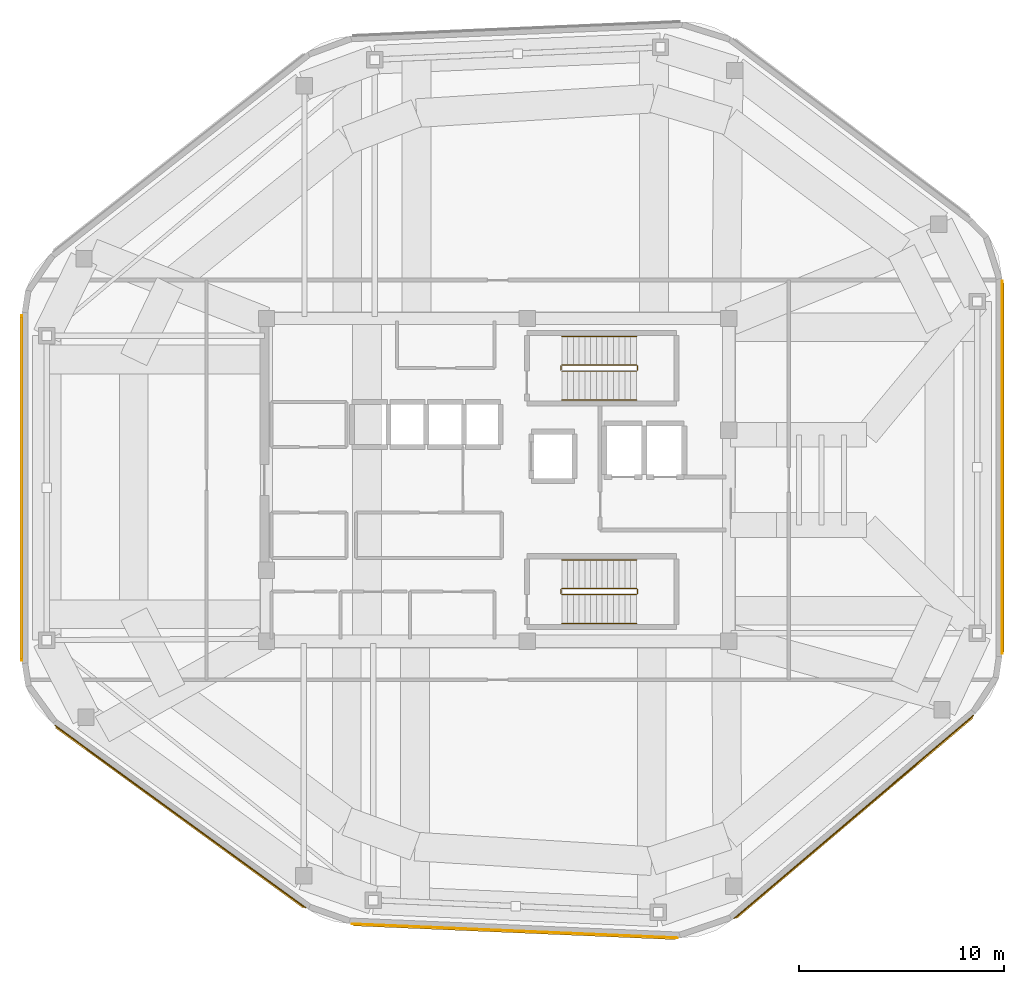
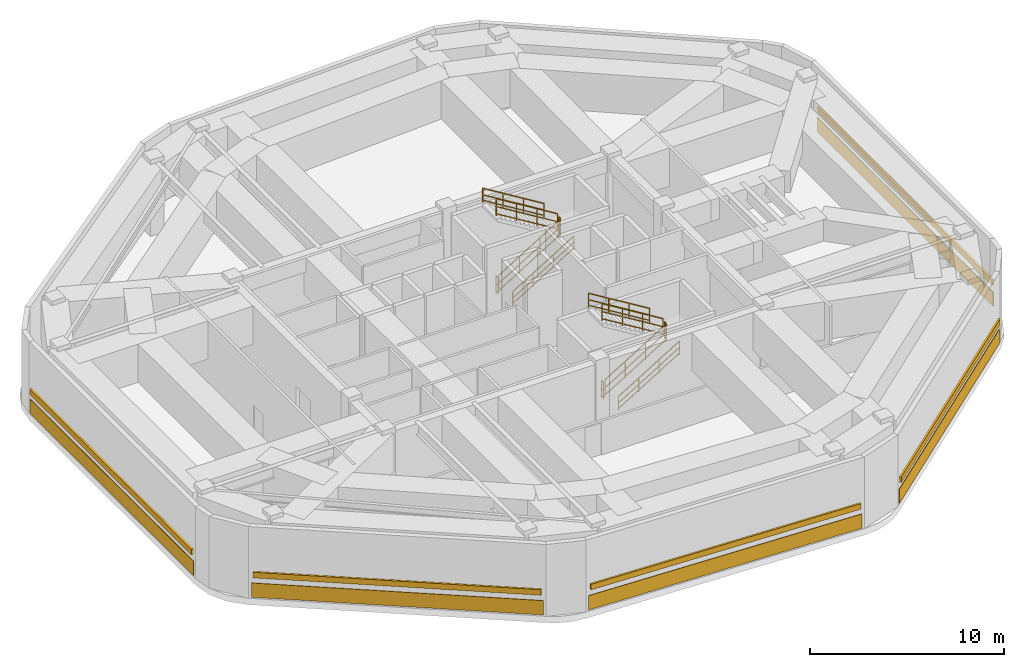
# One storey, part 6 of 7: 12 railings, 5 coverings, 5 shading devices.
"""IFC4 building model written with IfcOpenShell, lengths in metres."""

from ifc_helpers import new_model, si_unit, direction, frame, origin, origin_2d, place, context, subcontext, project, spatial, rectangle, extrude, material, layer, layer_set, type_object, element, save


model = new_model("IFC4")

# Units and contexts
model_context = context("Model", 3, precision=1e-05, world=origin(), true_north=direction((0.0, 1.0)))
body_context = subcontext(model_context, "Body", "Model", "MODEL_VIEW")
ifc_project = project(units=[si_unit("LENGTHUNIT", "METRE"), si_unit("AREAUNIT", "SQUARE_METRE"), si_unit("VOLUMEUNIT", "CUBIC_METRE"), si_unit("PLANEANGLEUNIT", "RADIAN"), si_unit("MASSUNIT", "GRAM", prefix="KILO")], contexts=[model_context])

# Site, building, storey
site_placement = place(None, origin())
site = spatial("IfcSite", under=ifc_project, at=site_placement, CompositionType="ELEMENT")
building_placement = place(site_placement, origin())
building = spatial("IfcBuilding", under=site, at=building_placement, Name="Zulverin Broadcast Headquarters", CompositionType="ELEMENT")
storey_placement = place(building_placement, frame((0.0, 0.0, 308.60009765625)))
storey = spatial("IfcBuildingStorey", under=building, at=storey_placement, Name="L79", CompositionType="ELEMENT", Elevation=308.60009765625)

# Coverings
ifc_material_1 = material(Name="Brushed pale-aluminium rainscreen cladding", Category="aluminium")
ifc_layer = layer(ifc_material_1, 0.0400390625, Name="Brushed pale-aluminium rainscreen cladding", Category="aluminium")
ifc_layer_set = layer_set([ifc_layer], Name="Brushed pale-aluminium rainscreen cladding")
covering_type = type_object("IfcCoveringType", Name="COV-CLAD-MEP", PredefinedType="CLADDING", material=ifc_layer_set)
covering_1_placement = place(storey_placement, frame((37.82861328125, 3.197021484375, 0.099853515625), z_axis=(0.0, 0.0, 1.0), x_axis=(0.999084786794, -0.042773692818, 0.0)))
element("IfcCovering", 1, at=covering_1_placement, inside=storey, type_object=covering_type, Name="L79 Brushed Pale-Aluminium Cladding Band 1", PredefinedType="CLADDING", context=body_context, shape_type="SweptSolid", body=[
    extrude(rectangle(XDim=15.90625, YDim=0.0400390625, at=origin_2d()), origin(), (0.0, 0.0, 1.0), 0.89990234375),
])
covering_2_placement = place(storey_placement, frame((54.373779296875, 8.756591796875, 0.099853515625), z_axis=(0.0, 0.0, 1.0), x_axis=(0.762781204191, 0.646656658925, 0.0)))
element("IfcCovering", 2, at=covering_2_placement, inside=storey, type_object=covering_type, Name="L79 Brushed Pale-Aluminium Cladding Band 2", PredefinedType="CLADDING", context=body_context, shape_type="SweptSolid", body=[
    extrude(rectangle(XDim=15.3291015625, YDim=0.0400390625, at=origin_2d()), origin(), (0.0, 0.0, 1.0), 0.89990234375),
])
covering_3_placement = place(storey_placement, frame((61.610107421875, 25.808349609375, 0.099853515625), z_axis=(0.0, 0.0, 1.0), x_axis=(0.0, 1.0, 0.0)))
element("IfcCovering", 3, at=covering_3_placement, inside=storey, type_object=covering_type, Name="L79 Brushed Pale-Aluminium Cladding Band 3", PredefinedType="CLADDING", context=body_context, shape_type="SweptSolid", body=[
    extrude(rectangle(XDim=18.189453125, YDim=0.0400390625, at=origin_2d()), origin(), (0.0, 0.0, 1.0), 0.89990234375),
])
covering_4_placement = place(storey_placement, frame((13.7900390625, 24.8095703125, 0.099853515625), z_axis=(0.0, 0.0, 1.0), x_axis=(0.0, -1.0, 0.0)))
element("IfcCovering", 4, at=covering_4_placement, inside=storey, type_object=covering_type, Name="L79 Brushed Pale-Aluminium Cladding Band 7", PredefinedType="CLADDING", context=body_context, shape_type="SweptSolid", body=[
    extrude(rectangle(XDim=16.85302734375, YDim=0.0400390625, at=origin_2d()), origin(), (0.0, 0.0, 1.0), 0.89990234375),
])
covering_5_placement = place(storey_placement, frame((21.52001953125, 8.772216796875, 0.099853515625), z_axis=(0.0, 0.0, 1.0), x_axis=(0.808698853549, -0.588222886556, 0.0)))
element("IfcCovering", 5, at=covering_5_placement, inside=storey, type_object=covering_type, Name="L79 Brushed Pale-Aluminium Cladding Band 8", PredefinedType="CLADDING", context=body_context, shape_type="SweptSolid", body=[
    extrude(rectangle(XDim=15.14111328125, YDim=0.0400390625, at=origin_2d()), origin(), (0.0, 0.0, 1.0), 0.89990234375),
])

# Railings
ifc_material_2 = material(Name="Painted galvanized steel tubular guardrail S355JR", Category="steel")
railing_type_1 = type_object("IfcRailingType", Name="RL-ST-GUARD", PredefinedType="GUARDRAIL", material=ifc_material_2)
railing_1_placement = place(storey_placement, frame((40.1298828125, 30.5, 0.17138671875)))
element("IfcRailing", 6, at=railing_1_placement, inside=storey, type_object=railing_type_1, Name="L79 ST-1 stair guard 1", PredefinedType="GUARDRAIL", context=body_context, shape_type="SweptSolid", body=[
    extrude(rectangle(XDim=0.048095703125, YDim=0.048095703125, at=origin_2d()), frame((0.0, 0.0, 1.076171875), z_axis=(0.852865859571, 0.0, 0.52213008492), x_axis=(0.0, 1.0, 0.0)), (0.0, 0.0, 1.0), 4.26806640625),
    extrude(rectangle(XDim=0.0419921875, YDim=0.0419921875, at=origin_2d()), frame((0.0, 0.0, 0.572021484375), z_axis=(0.852865859571, 0.0, 0.52213008492), x_axis=(0.0, 1.0, 0.0)), (0.0, 0.0, 1.0), 4.26806640625),
    extrude(rectangle(XDim=0.0419921875, YDim=0.0419921875, at=origin_2d()), frame((0.0, 0.0, 0.1201171875), z_axis=(0.852865859571, 0.0, 0.52213008492), x_axis=(0.0, 1.0, 0.0)), (0.0, 0.0, 1.0), 4.26806640625),
    extrude(rectangle(XDim=0.0419921875, YDim=0.0419921875, at=origin_2d()), origin(), (0.0, 0.0, 1.0), 1.052001953125),
    extrude(rectangle(XDim=0.0419921875, YDim=0.0419921875, at=origin_2d()), frame((1.21337890625, 0.0, 0.742919921875)), (0.0, 0.0, 1.0), 1.052001953125),
    extrude(rectangle(XDim=0.0419921875, YDim=0.0419921875, at=origin_2d()), frame((2.4267578125, 0.0, 1.485595703125)), (0.0, 0.0, 1.0), 1.052001953125),
    extrude(rectangle(XDim=0.0419921875, YDim=0.0419921875, at=origin_2d()), frame((3.64013671875, 0.0, 2.228515625)), (0.0, 0.0, 1.0), 1.052001953125),
])
railing_2_placement = place(storey_placement, frame((43.820068359375, 30.550048828125, 2.39990234375)))
element("IfcRailing", 7, at=railing_2_placement, inside=storey, type_object=railing_type_1, Name="L79 ST-1 stair guard 2", PredefinedType="GUARDRAIL", context=body_context, shape_type="SweptSolid", body=[
    extrude(rectangle(XDim=0.048095703125, YDim=0.048095703125, at=origin_2d()), frame((0.0, 0.0, 1.076171875), z_axis=(0.0, 1.0, 0.0), x_axis=(-1.0, 0.0, 0.0)), (0.0, 0.0, 1.0), 0.199951171875),
    extrude(rectangle(XDim=0.0419921875, YDim=0.0419921875, at=origin_2d()), frame((0.0, 0.0, 0.572021484375), z_axis=(0.0, 1.0, 0.0), x_axis=(-1.0, 0.0, 0.0)), (0.0, 0.0, 1.0), 0.199951171875),
    extrude(rectangle(XDim=0.0419921875, YDim=0.0419921875, at=origin_2d()), frame((0.0, 0.0, 0.1201171875), z_axis=(0.0, 1.0, 0.0), x_axis=(-1.0, 0.0, 0.0)), (0.0, 0.0, 1.0), 0.199951171875),
    extrude(rectangle(XDim=0.0419921875, YDim=0.0419921875, at=origin_2d()), origin(), (0.0, 0.0, 1.0), 1.052001953125),
    extrude(rectangle(XDim=0.0419921875, YDim=0.0419921875, at=origin_2d()), frame((0.0, 0.199951171875, 0.0)), (0.0, 0.0, 1.0), 1.052001953125),
])
railing_3_placement = place(storey_placement, frame((43.77001953125, 30.800048828125, 2.5712890625)))
element("IfcRailing", 8, at=railing_3_placement, inside=storey, type_object=railing_type_1, Name="L79 ST-1 stair guard 3", PredefinedType="GUARDRAIL", context=body_context, shape_type="SweptSolid", body=[
    extrude(rectangle(XDim=0.048095703125, YDim=0.048095703125, at=origin_2d()), frame((0.0, 0.0, 1.076171875), z_axis=(-0.852865859571, 0.0, 0.52213008492), x_axis=(0.0, -1.0, 0.0)), (0.0, 0.0, 1.0), 4.26806640625),
    extrude(rectangle(XDim=0.0419921875, YDim=0.0419921875, at=origin_2d()), frame((0.0, 0.0, 0.572021484375), z_axis=(-0.852865859571, 0.0, 0.52213008492), x_axis=(0.0, -1.0, 0.0)), (0.0, 0.0, 1.0), 4.26806640625),
    extrude(rectangle(XDim=0.0419921875, YDim=0.0419921875, at=origin_2d()), frame((0.0, 0.0, 0.1201171875), z_axis=(-0.852865859571, 0.0, 0.52213008492), x_axis=(0.0, -1.0, 0.0)), (0.0, 0.0, 1.0), 4.26806640625),
    extrude(rectangle(XDim=0.0419921875, YDim=0.0419921875, at=origin_2d()), origin(), (0.0, 0.0, 1.0), 1.052001953125),
    extrude(rectangle(XDim=0.0419921875, YDim=0.0419921875, at=origin_2d()), frame((-1.21337890625, 0.0, 0.742919921875)), (0.0, 0.0, 1.0), 1.052001953125),
    extrude(rectangle(XDim=0.0419921875, YDim=0.0419921875, at=origin_2d()), frame((-2.4267578125, 0.0, 1.485595703125)), (0.0, 0.0, 1.0), 1.052001953125),
    extrude(rectangle(XDim=0.0419921875, YDim=0.0419921875, at=origin_2d()), frame((-3.64013671875, 0.0, 2.228515625)), (0.0, 0.0, 1.0), 1.052001953125),
])
railing_4_placement = place(storey_placement, frame((40.080078125, 30.550048828125, 0.0)))
element("IfcRailing", 9, at=railing_4_placement, inside=storey, type_object=railing_type_1, Name="L79 ST-1 stair guard 4", PredefinedType="GUARDRAIL", context=body_context, shape_type="SweptSolid", body=[
    extrude(rectangle(XDim=0.048095703125, YDim=0.048095703125, at=origin_2d()), frame((0.0, 0.0, 1.076171875), z_axis=(0.0, 1.0, 0.0), x_axis=(-1.0, 0.0, 0.0)), (0.0, 0.0, 1.0), 0.199951171875),
    extrude(rectangle(XDim=0.0419921875, YDim=0.0419921875, at=origin_2d()), frame((0.0, 0.0, 0.572021484375), z_axis=(0.0, 1.0, 0.0), x_axis=(-1.0, 0.0, 0.0)), (0.0, 0.0, 1.0), 0.199951171875),
    extrude(rectangle(XDim=0.0419921875, YDim=0.0419921875, at=origin_2d()), frame((0.0, 0.0, 0.1201171875), z_axis=(0.0, 1.0, 0.0), x_axis=(-1.0, 0.0, 0.0)), (0.0, 0.0, 1.0), 0.199951171875),
    extrude(rectangle(XDim=0.0419921875, YDim=0.0419921875, at=origin_2d()), origin(), (0.0, 0.0, 1.0), 1.052001953125),
    extrude(rectangle(XDim=0.0419921875, YDim=0.0419921875, at=origin_2d()), frame((0.0, 0.199951171875, 0.0)), (0.0, 0.0, 1.0), 1.052001953125),
])
railing_5_placement = place(storey_placement, frame((40.1298828125, 19.60009765625, 0.17138671875)))
element("IfcRailing", 10, at=railing_5_placement, inside=storey, type_object=railing_type_1, Name="L79 ST-2 stair guard 1", PredefinedType="GUARDRAIL", context=body_context, shape_type="SweptSolid", body=[
    extrude(rectangle(XDim=0.048095703125, YDim=0.048095703125, at=origin_2d()), frame((0.0, 0.0, 1.076171875), z_axis=(0.852865859571, 0.0, 0.52213008492), x_axis=(0.0, 1.0, 0.0)), (0.0, 0.0, 1.0), 4.26806640625),
    extrude(rectangle(XDim=0.0419921875, YDim=0.0419921875, at=origin_2d()), frame((0.0, 0.0, 0.572021484375), z_axis=(0.852865859571, 0.0, 0.52213008492), x_axis=(0.0, 1.0, 0.0)), (0.0, 0.0, 1.0), 4.26806640625),
    extrude(rectangle(XDim=0.0419921875, YDim=0.0419921875, at=origin_2d()), frame((0.0, 0.0, 0.1201171875), z_axis=(0.852865859571, 0.0, 0.52213008492), x_axis=(0.0, 1.0, 0.0)), (0.0, 0.0, 1.0), 4.26806640625),
    extrude(rectangle(XDim=0.0419921875, YDim=0.0419921875, at=origin_2d()), origin(), (0.0, 0.0, 1.0), 1.052001953125),
    extrude(rectangle(XDim=0.0419921875, YDim=0.0419921875, at=origin_2d()), frame((1.21337890625, 0.0, 0.742919921875)), (0.0, 0.0, 1.0), 1.052001953125),
    extrude(rectangle(XDim=0.0419921875, YDim=0.0419921875, at=origin_2d()), frame((2.4267578125, 0.0, 1.485595703125)), (0.0, 0.0, 1.0), 1.052001953125),
    extrude(rectangle(XDim=0.0419921875, YDim=0.0419921875, at=origin_2d()), frame((3.64013671875, 0.0, 2.228515625)), (0.0, 0.0, 1.0), 1.052001953125),
])
railing_6_placement = place(storey_placement, frame((43.820068359375, 19.64990234375, 2.39990234375)))
element("IfcRailing", 11, at=railing_6_placement, inside=storey, type_object=railing_type_1, Name="L79 ST-2 stair guard 2", PredefinedType="GUARDRAIL", context=body_context, shape_type="SweptSolid", body=[
    extrude(rectangle(XDim=0.048095703125, YDim=0.048095703125, at=origin_2d()), frame((0.0, 0.0, 1.076171875), z_axis=(0.0, 1.0, 0.0), x_axis=(-1.0, 0.0, 0.0)), (0.0, 0.0, 1.0), 0.2001953125),
    extrude(rectangle(XDim=0.0419921875, YDim=0.0419921875, at=origin_2d()), frame((0.0, 0.0, 0.572021484375), z_axis=(0.0, 1.0, 0.0), x_axis=(-1.0, 0.0, 0.0)), (0.0, 0.0, 1.0), 0.2001953125),
    extrude(rectangle(XDim=0.0419921875, YDim=0.0419921875, at=origin_2d()), frame((0.0, 0.0, 0.1201171875), z_axis=(0.0, 1.0, 0.0), x_axis=(-1.0, 0.0, 0.0)), (0.0, 0.0, 1.0), 0.2001953125),
    extrude(rectangle(XDim=0.0419921875, YDim=0.0419921875, at=origin_2d()), origin(), (0.0, 0.0, 1.0), 1.052001953125),
    extrude(rectangle(XDim=0.0419921875, YDim=0.0419921875, at=origin_2d()), frame((0.0, 0.2001953125, 0.0)), (0.0, 0.0, 1.0), 1.052001953125),
])
railing_7_placement = place(storey_placement, frame((43.77001953125, 19.89990234375, 2.5712890625)))
element("IfcRailing", 12, at=railing_7_placement, inside=storey, type_object=railing_type_1, Name="L79 ST-2 stair guard 3", PredefinedType="GUARDRAIL", context=body_context, shape_type="SweptSolid", body=[
    extrude(rectangle(XDim=0.048095703125, YDim=0.048095703125, at=origin_2d()), frame((0.0, 0.0, 1.076171875), z_axis=(-0.852865859571, 0.0, 0.52213008492), x_axis=(0.0, -1.0, 0.0)), (0.0, 0.0, 1.0), 4.26806640625),
    extrude(rectangle(XDim=0.0419921875, YDim=0.0419921875, at=origin_2d()), frame((0.0, 0.0, 0.572021484375), z_axis=(-0.852865859571, 0.0, 0.52213008492), x_axis=(0.0, -1.0, 0.0)), (0.0, 0.0, 1.0), 4.26806640625),
    extrude(rectangle(XDim=0.0419921875, YDim=0.0419921875, at=origin_2d()), frame((0.0, 0.0, 0.1201171875), z_axis=(-0.852865859571, 0.0, 0.52213008492), x_axis=(0.0, -1.0, 0.0)), (0.0, 0.0, 1.0), 4.26806640625),
    extrude(rectangle(XDim=0.0419921875, YDim=0.0419921875, at=origin_2d()), origin(), (0.0, 0.0, 1.0), 1.052001953125),
    extrude(rectangle(XDim=0.0419921875, YDim=0.0419921875, at=origin_2d()), frame((-1.21337890625, 0.0, 0.742919921875)), (0.0, 0.0, 1.0), 1.052001953125),
    extrude(rectangle(XDim=0.0419921875, YDim=0.0419921875, at=origin_2d()), frame((-2.4267578125, 0.0, 1.485595703125)), (0.0, 0.0, 1.0), 1.052001953125),
    extrude(rectangle(XDim=0.0419921875, YDim=0.0419921875, at=origin_2d()), frame((-3.64013671875, 0.0, 2.228515625)), (0.0, 0.0, 1.0), 1.052001953125),
])
railing_8_placement = place(storey_placement, frame((40.080078125, 19.64990234375, 0.0)))
element("IfcRailing", 13, at=railing_8_placement, inside=storey, type_object=railing_type_1, Name="L79 ST-2 stair guard 4", PredefinedType="GUARDRAIL", context=body_context, shape_type="SweptSolid", body=[
    extrude(rectangle(XDim=0.048095703125, YDim=0.048095703125, at=origin_2d()), frame((0.0, 0.0, 1.076171875), z_axis=(0.0, 1.0, 0.0), x_axis=(-1.0, 0.0, 0.0)), (0.0, 0.0, 1.0), 0.2001953125),
    extrude(rectangle(XDim=0.0419921875, YDim=0.0419921875, at=origin_2d()), frame((0.0, 0.0, 0.572021484375), z_axis=(0.0, 1.0, 0.0), x_axis=(-1.0, 0.0, 0.0)), (0.0, 0.0, 1.0), 0.2001953125),
    extrude(rectangle(XDim=0.0419921875, YDim=0.0419921875, at=origin_2d()), frame((0.0, 0.0, 0.1201171875), z_axis=(0.0, 1.0, 0.0), x_axis=(-1.0, 0.0, 0.0)), (0.0, 0.0, 1.0), 0.2001953125),
    extrude(rectangle(XDim=0.0419921875, YDim=0.0419921875, at=origin_2d()), origin(), (0.0, 0.0, 1.0), 1.052001953125),
    extrude(rectangle(XDim=0.0419921875, YDim=0.0419921875, at=origin_2d()), frame((0.0, 0.2001953125, 0.0)), (0.0, 0.0, 1.0), 1.052001953125),
])
ifc_material_3 = material(Name="Brushed stainless steel 48 mm handrail", Category="steel")
railing_type_2 = type_object("IfcRailingType", Name="RL-ST-HAND", PredefinedType="HANDRAIL", material=ifc_material_3)
railing_9_placement = place(storey_placement, frame((40.1298828125, 29.10009765625, 0.17138671875)))
element("IfcRailing", 14, at=railing_9_placement, inside=storey, type_object=railing_type_2, Name="L79 ST-1 stair handrail 1", PredefinedType="HANDRAIL", context=body_context, shape_type="SweptSolid", body=[
    extrude(rectangle(XDim=0.048095703125, YDim=0.048095703125, at=origin_2d()), frame((0.0, 0.0, 0.8759765625), z_axis=(0.852865859571, 0.0, 0.52213008492), x_axis=(0.0, 1.0, 0.0)), (0.0, 0.0, 1.0), 4.26806640625),
    extrude(rectangle(XDim=0.0419921875, YDim=0.0419921875, at=origin_2d()), frame((0.0, 0.0, 0.468017578125), z_axis=(0.852865859571, 0.0, 0.52213008492), x_axis=(0.0, 1.0, 0.0)), (0.0, 0.0, 1.0), 4.26806640625),
    extrude(rectangle(XDim=0.0419921875, YDim=0.0419921875, at=origin_2d()), frame((0.0, 0.0, 0.1201171875), z_axis=(0.852865859571, 0.0, 0.52213008492), x_axis=(0.0, 1.0, 0.0)), (0.0, 0.0, 1.0), 4.26806640625),
    extrude(rectangle(XDim=0.0419921875, YDim=0.0419921875, at=origin_2d()), origin(), (0.0, 0.0, 1.0), 0.851806640625),
    extrude(rectangle(XDim=0.0419921875, YDim=0.0419921875, at=origin_2d()), frame((1.21337890625, 0.0, 0.742919921875)), (0.0, 0.0, 1.0), 0.851806640625),
    extrude(rectangle(XDim=0.0419921875, YDim=0.0419921875, at=origin_2d()), frame((2.4267578125, 0.0, 1.485595703125)), (0.0, 0.0, 1.0), 0.851806640625),
    extrude(rectangle(XDim=0.0419921875, YDim=0.0419921875, at=origin_2d()), frame((3.64013671875, 0.0, 2.228515625)), (0.0, 0.0, 1.0), 0.851806640625),
])
railing_10_placement = place(storey_placement, frame((43.77001953125, 32.199951171875, 2.5712890625)))
element("IfcRailing", 15, at=railing_10_placement, inside=storey, type_object=railing_type_2, Name="L79 ST-1 stair handrail 2", PredefinedType="HANDRAIL", context=body_context, shape_type="SweptSolid", body=[
    extrude(rectangle(XDim=0.048095703125, YDim=0.048095703125, at=origin_2d()), frame((0.0, 0.0, 0.8759765625), z_axis=(-0.852865859571, 0.0, 0.52213008492), x_axis=(0.0, -1.0, 0.0)), (0.0, 0.0, 1.0), 4.26806640625),
    extrude(rectangle(XDim=0.0419921875, YDim=0.0419921875, at=origin_2d()), frame((0.0, 0.0, 0.468017578125), z_axis=(-0.852865859571, 0.0, 0.52213008492), x_axis=(0.0, -1.0, 0.0)), (0.0, 0.0, 1.0), 4.26806640625),
    extrude(rectangle(XDim=0.0419921875, YDim=0.0419921875, at=origin_2d()), frame((0.0, 0.0, 0.1201171875), z_axis=(-0.852865859571, 0.0, 0.52213008492), x_axis=(0.0, -1.0, 0.0)), (0.0, 0.0, 1.0), 4.26806640625),
    extrude(rectangle(XDim=0.0419921875, YDim=0.0419921875, at=origin_2d()), origin(), (0.0, 0.0, 1.0), 0.851806640625),
    extrude(rectangle(XDim=0.0419921875, YDim=0.0419921875, at=origin_2d()), frame((-1.21337890625, 0.0, 0.742919921875)), (0.0, 0.0, 1.0), 0.851806640625),
    extrude(rectangle(XDim=0.0419921875, YDim=0.0419921875, at=origin_2d()), frame((-2.4267578125, 0.0, 1.485595703125)), (0.0, 0.0, 1.0), 0.851806640625),
    extrude(rectangle(XDim=0.0419921875, YDim=0.0419921875, at=origin_2d()), frame((-3.64013671875, 0.0, 2.228515625)), (0.0, 0.0, 1.0), 0.851806640625),
])
railing_11_placement = place(storey_placement, frame((40.1298828125, 18.199951171875, 0.17138671875)))
element("IfcRailing", 16, at=railing_11_placement, inside=storey, type_object=railing_type_2, Name="L79 ST-2 stair handrail 1", PredefinedType="HANDRAIL", context=body_context, shape_type="SweptSolid", body=[
    extrude(rectangle(XDim=0.048095703125, YDim=0.048095703125, at=origin_2d()), frame((0.0, 0.0, 0.8759765625), z_axis=(0.852865859571, 0.0, 0.52213008492), x_axis=(0.0, 1.0, 0.0)), (0.0, 0.0, 1.0), 4.26806640625),
    extrude(rectangle(XDim=0.0419921875, YDim=0.0419921875, at=origin_2d()), frame((0.0, 0.0, 0.468017578125), z_axis=(0.852865859571, 0.0, 0.52213008492), x_axis=(0.0, 1.0, 0.0)), (0.0, 0.0, 1.0), 4.26806640625),
    extrude(rectangle(XDim=0.0419921875, YDim=0.0419921875, at=origin_2d()), frame((0.0, 0.0, 0.1201171875), z_axis=(0.852865859571, 0.0, 0.52213008492), x_axis=(0.0, 1.0, 0.0)), (0.0, 0.0, 1.0), 4.26806640625),
    extrude(rectangle(XDim=0.0419921875, YDim=0.0419921875, at=origin_2d()), origin(), (0.0, 0.0, 1.0), 0.851806640625),
    extrude(rectangle(XDim=0.0419921875, YDim=0.0419921875, at=origin_2d()), frame((1.21337890625, 0.0, 0.742919921875)), (0.0, 0.0, 1.0), 0.851806640625),
    extrude(rectangle(XDim=0.0419921875, YDim=0.0419921875, at=origin_2d()), frame((2.4267578125, 0.0, 1.485595703125)), (0.0, 0.0, 1.0), 0.851806640625),
    extrude(rectangle(XDim=0.0419921875, YDim=0.0419921875, at=origin_2d()), frame((3.64013671875, 0.0, 2.228515625)), (0.0, 0.0, 1.0), 0.851806640625),
])
railing_12_placement = place(storey_placement, frame((43.77001953125, 21.300048828125, 2.5712890625)))
element("IfcRailing", 17, at=railing_12_placement, inside=storey, type_object=railing_type_2, Name="L79 ST-2 stair handrail 2", PredefinedType="HANDRAIL", context=body_context, shape_type="SweptSolid", body=[
    extrude(rectangle(XDim=0.048095703125, YDim=0.048095703125, at=origin_2d()), frame((0.0, 0.0, 0.8759765625), z_axis=(-0.852865859571, 0.0, 0.52213008492), x_axis=(0.0, -1.0, 0.0)), (0.0, 0.0, 1.0), 4.26806640625),
    extrude(rectangle(XDim=0.0419921875, YDim=0.0419921875, at=origin_2d()), frame((0.0, 0.0, 0.468017578125), z_axis=(-0.852865859571, 0.0, 0.52213008492), x_axis=(0.0, -1.0, 0.0)), (0.0, 0.0, 1.0), 4.26806640625),
    extrude(rectangle(XDim=0.0419921875, YDim=0.0419921875, at=origin_2d()), frame((0.0, 0.0, 0.1201171875), z_axis=(-0.852865859571, 0.0, 0.52213008492), x_axis=(0.0, -1.0, 0.0)), (0.0, 0.0, 1.0), 4.26806640625),
    extrude(rectangle(XDim=0.0419921875, YDim=0.0419921875, at=origin_2d()), origin(), (0.0, 0.0, 1.0), 0.851806640625),
    extrude(rectangle(XDim=0.0419921875, YDim=0.0419921875, at=origin_2d()), frame((-1.21337890625, 0.0, 0.742919921875)), (0.0, 0.0, 1.0), 0.851806640625),
    extrude(rectangle(XDim=0.0419921875, YDim=0.0419921875, at=origin_2d()), frame((-2.4267578125, 0.0, 1.485595703125)), (0.0, 0.0, 1.0), 0.851806640625),
    extrude(rectangle(XDim=0.0419921875, YDim=0.0419921875, at=origin_2d()), frame((-3.64013671875, 0.0, 2.228515625)), (0.0, 0.0, 1.0), 0.851806640625),
])

# Shading devices
ifc_material_4 = material(Name="Anodized pale-metal aluminium acoustic louvre", Category="aluminium")
shading_device_type = type_object("IfcShadingDeviceType", Name="SHD-LOUVRE-350", PredefinedType="USERDEFINED", material=ifc_material_4)
shading_device_1_placement = place(storey_placement, frame((37.8271484375, 3.1669921875, 1.374755859375), z_axis=(0.0, 0.0, 1.0), x_axis=(0.999084786794, -0.042773692818, 0.0)))
element("IfcShadingDevice", 18, at=shading_device_1_placement, inside=storey, type_object=shading_device_type, Name="L79 Plant Room Acoustic Louvre Screen 1", ObjectType="LOUVRE", PredefinedType="USERDEFINED", context=body_context, shape_type="SweptSolid", body=[
    extrude(rectangle(XDim=15.706298828125, YDim=0.1201171875, at=origin_2d()), origin(), (0.0, 0.0, 1.0), 0.35009765625),
])
shading_device_2_placement = place(storey_placement, frame((54.39306640625, 8.73388671875, 1.374755859375), z_axis=(0.0, 0.0, 1.0), x_axis=(0.762781204191, 0.646656658925, 0.0)))
element("IfcShadingDevice", 19, at=shading_device_2_placement, inside=storey, type_object=shading_device_type, Name="L79 Plant Room Acoustic Louvre Screen 2", ObjectType="LOUVRE", PredefinedType="USERDEFINED", context=body_context, shape_type="SweptSolid", body=[
    extrude(rectangle(XDim=15.12890625, YDim=0.1201171875, at=origin_2d()), origin(), (0.0, 0.0, 1.0), 0.35009765625),
])
shading_device_3_placement = place(storey_placement, frame((61.639892578125, 25.808349609375, 1.374755859375), z_axis=(0.0, 0.0, 1.0), x_axis=(0.0, 1.0, 0.0)))
element("IfcShadingDevice", 20, at=shading_device_3_placement, inside=storey, type_object=shading_device_type, Name="L79 Plant Room Acoustic Louvre Screen 3", ObjectType="LOUVRE", PredefinedType="USERDEFINED", context=body_context, shape_type="SweptSolid", body=[
    extrude(rectangle(XDim=17.989501953125, YDim=0.1201171875, at=origin_2d()), origin(), (0.0, 0.0, 1.0), 0.35009765625),
])
shading_device_4_placement = place(storey_placement, frame((13.760009765625, 24.8095703125, 1.374755859375), z_axis=(0.0, 0.0, 1.0), x_axis=(0.0, -1.0, 0.0)))
element("IfcShadingDevice", 21, at=shading_device_4_placement, inside=storey, type_object=shading_device_type, Name="L79 Plant Room Acoustic Louvre Screen 7", ObjectType="LOUVRE", PredefinedType="USERDEFINED", context=body_context, shape_type="SweptSolid", body=[
    extrude(rectangle(XDim=16.653076171875, YDim=0.1201171875, at=origin_2d()), origin(), (0.0, 0.0, 1.0), 0.35009765625),
])
shading_device_5_placement = place(storey_placement, frame((21.50244140625, 8.748046875, 1.374755859375), z_axis=(0.0, 0.0, 1.0), x_axis=(0.808698853549, -0.588222886556, 0.0)))
element("IfcShadingDevice", 22, at=shading_device_5_placement, inside=storey, type_object=shading_device_type, Name="L79 Plant Room Acoustic Louvre Screen 8", ObjectType="LOUVRE", PredefinedType="USERDEFINED", context=body_context, shape_type="SweptSolid", body=[
    extrude(rectangle(XDim=14.941162109375, YDim=0.1201171875, at=origin_2d()), origin(), (0.0, 0.0, 1.0), 0.35009765625),
])

save(model, "model.ifc")
